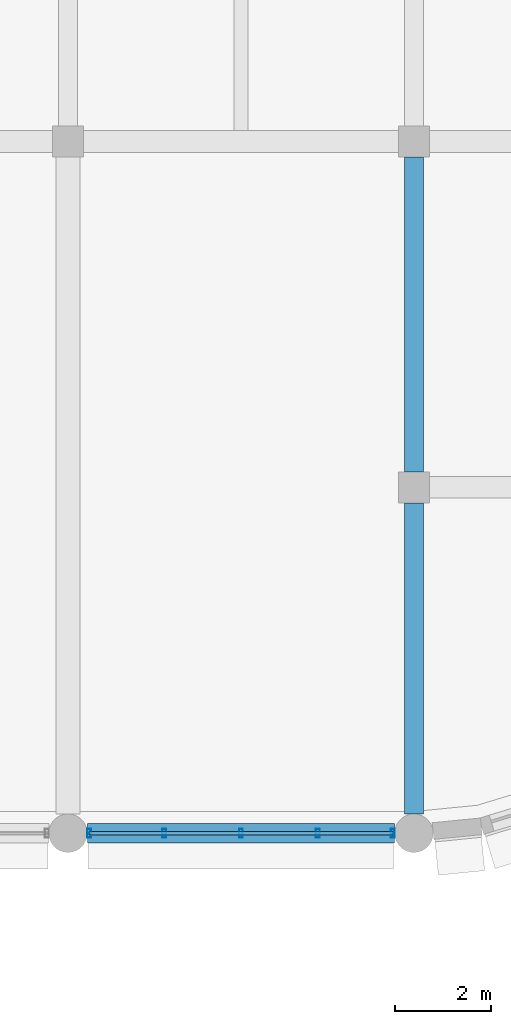
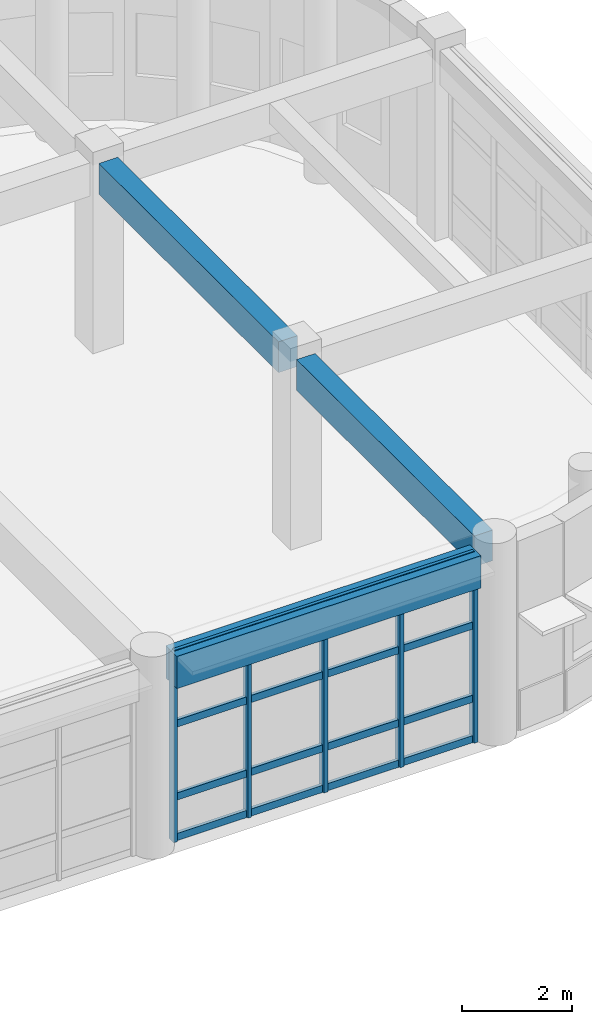
# One storey, part 39 of 171: 9 members, 3 beams, 1 element without a shape of its own.
"""IFC4 building model written with IfcOpenShell, lengths in metres."""

from ifc_helpers import new_model, si_unit, direction, frame, origin, origin_2d, place, context, subcontext, project, spatial, rectangle, hollow_rectangle, extrude, material, material_profile, profile_set, type_object, element, aggregate, save


model = new_model("IFC4")

# Units and contexts
model_context = context("Model", 3, precision=1e-05, world=origin(), true_north=direction((0.0, 1.0)))
body_context = subcontext(model_context, "Body", "Model", "MODEL_VIEW")
ifc_project = project(units=[si_unit("LENGTHUNIT", "METRE"), si_unit("AREAUNIT", "SQUARE_METRE"), si_unit("VOLUMEUNIT", "CUBIC_METRE"), si_unit("PLANEANGLEUNIT", "RADIAN"), si_unit("MASSUNIT", "GRAM", prefix="KILO")], contexts=[model_context])

# Site, building, storey
site_placement = place(None, origin())
site = spatial("IfcSite", under=ifc_project, at=site_placement, CompositionType="ELEMENT")
building_placement = place(site_placement, origin())
building = spatial("IfcBuilding", under=site, at=building_placement, Name="Thalmaran Polytechnic", CompositionType="ELEMENT")
storey_placement = place(building_placement, frame((0.0, 0.0, 5.39990234375)))
storey = spatial("IfcBuildingStorey", under=building, at=storey_placement, Name="L01", CompositionType="ELEMENT", Elevation=5.39990234375)

# Beams
ifc_material_1 = material(Name="Concrete C40/50", Category="concrete")
ifc_material_profile_1 = material_profile(ifc_material_1, rectangle(XDim=0.389892578125, YDim=0.68505859375, at=origin_2d()), Name="RC 390x685")
ifc_profile_set_1 = profile_set([ifc_material_profile_1], Name="Concrete C40/50")
beam_type_1 = type_object("IfcBeamType", Name="BM-RC08", PredefinedType="BEAM", material=ifc_profile_set_1)
beam_1_placement = place(storey_placement, frame((86.39990234375, 50.800048828125, 3.87255859375), z_axis=(0.0, 1.0, 0.0), x_axis=(-1.0, 0.0, 0.0)))
element("IfcBeam", 1, at=beam_1_placement, inside=storey, type_object=beam_type_1, Name="Grid Beam B08 L01 Y(12,7)", PredefinedType="BEAM", context=body_context, shape_type="SweptSolid", body=[
    extrude(rectangle(XDim=0.389892578125, YDim=0.68505859375, at=origin_2d()), origin(), (0.0, 0.0, 1.0), 6.474853515625),
])
ifc_material_profile_2 = material_profile(ifc_material_1, rectangle(XDim=0.39990234375, YDim=0.719970703125, at=origin_2d()), Name="RC 400x720")
ifc_profile_set_2 = profile_set([ifc_material_profile_2], Name="Concrete C40/50")
beam_type_2 = type_object("IfcBeamType", Name="BM-SP01", PredefinedType="SPANDREL", material=ifc_profile_set_2)
beam_2_placement = place(storey_placement, frame((79.60009765625, 50.39990234375, 3.85498046875), z_axis=(1.0, 0.0, 0.0), x_axis=(0.0, 1.0, 0.0)))
element("IfcBeam", 2, at=beam_2_placement, inside=storey, type_object=beam_type_2, Name="Grid Beam SP01 L01 X(11,7)", PredefinedType="SPANDREL", context=body_context, shape_type="SweptSolid", body=[
    extrude(rectangle(XDim=0.39990234375, YDim=0.719970703125, at=origin_2d()), origin(), (0.0, 0.0, 1.0), 6.39990234375),
])
ifc_material_profile_3 = material_profile(ifc_material_1, rectangle(XDim=0.39990234375, YDim=0.68505859375, at=origin_2d()), Name="RC 400x685")
ifc_profile_set_3 = profile_set([ifc_material_profile_3], Name="Concrete C40/50")
beam_type_3 = type_object("IfcBeamType", Name="BM-ZB07", PredefinedType="BEAM", material=ifc_profile_set_3)
beam_3_placement = place(storey_placement, frame((86.39990234375, 57.925048828125, 3.87255859375), z_axis=(0.0, 1.0, 0.0), x_axis=(-1.0, 0.0, 0.0)))
element("IfcBeam", 3, at=beam_3_placement, inside=storey, type_object=beam_type_3, Name="Grid Beam ZB07 L01 Y(12,8)", PredefinedType="BEAM", context=body_context, shape_type="SweptSolid", body=[
    extrude(rectangle(XDim=0.39990234375, YDim=0.68505859375, at=origin_2d()), origin(), (0.0, 0.0, 1.0), 6.550048828125),
])

# Curtain wall, members
ifc_material_2 = material(Name="Aluminium 6063-T6", Category="aluminium")
curtain_wall_type = type_object("IfcCurtainWallType", Name="CW-SC01", PredefinedType="USERDEFINED", material=ifc_material_2)
curtain_wall_placement = place(storey_placement, origin())
curtain_wall = element("IfcCurtainWall", 4, at=curtain_wall_placement, inside=storey, type_object=curtain_wall_type, Name="Curtain Wall CW-L01-149", ObjectType="STICK CURTAIN WALL", PredefinedType="USERDEFINED")
ifc_material_profile_4 = material_profile(ifc_material_2, hollow_rectangle(XDim=0.080078125, YDim=0.179931640625, WallThickness=0.0048828125, at=origin_2d()), Name="RHS 180x80x5.0")
ifc_profile_set_4 = profile_set([ifc_material_profile_4], Name="Aluminium 6063-T6")
member_type_1 = type_object("IfcMemberType", Name="CW-MUL1", PredefinedType="MULLION", material=ifc_profile_set_4)
member_1_placement = place(storey_placement, frame((85.9599609375, 50.39990234375, 0.0), z_axis=(0.0, 0.0, 1.0), x_axis=(1.0, 0.0, 0.0)))
member_1 = element("IfcMember", 5, at=member_1_placement, type_object=member_type_1, Name="CW-L01-149 Mullion 1", PredefinedType="MULLION", context=body_context, shape_type="SweptSolid", body=[
    extrude(hollow_rectangle(XDim=0.080078125, YDim=0.179931640625, WallThickness=0.0048828125, at=origin_2d()), origin(), (0.0, 0.0, 1.0), 4.210205078125),
])
member_2_placement = place(storey_placement, frame((84.39990234375, 50.39990234375, 0.0), z_axis=(0.0, 0.0, 1.0), x_axis=(1.0, 0.0, 0.0)))
member_2 = element("IfcMember", 6, at=member_2_placement, type_object=member_type_1, Name="CW-L01-149 Mullion 2", PredefinedType="MULLION", context=body_context, shape_type="SweptSolid", body=[
    extrude(hollow_rectangle(XDim=0.080078125, YDim=0.179931640625, WallThickness=0.0048828125, at=origin_2d()), origin(), (0.0, 0.0, 1.0), 4.210205078125),
])
member_3_placement = place(storey_placement, frame((82.800048828125, 50.39990234375, 0.0), z_axis=(0.0, 0.0, 1.0), x_axis=(1.0, 0.0, 0.0)))
member_3 = element("IfcMember", 7, at=member_3_placement, type_object=member_type_1, Name="CW-L01-149 Mullion 3", PredefinedType="MULLION", context=body_context, shape_type="SweptSolid", body=[
    extrude(hollow_rectangle(XDim=0.080078125, YDim=0.179931640625, WallThickness=0.0048828125, at=origin_2d()), origin(), (0.0, 0.0, 1.0), 4.210205078125),
])
member_4_placement = place(storey_placement, frame((81.199951171875, 50.39990234375, 0.0), z_axis=(0.0, 0.0, 1.0), x_axis=(1.0, 0.0, 0.0)))
member_4 = element("IfcMember", 8, at=member_4_placement, type_object=member_type_1, Name="CW-L01-149 Mullion 4", PredefinedType="MULLION", context=body_context, shape_type="SweptSolid", body=[
    extrude(hollow_rectangle(XDim=0.080078125, YDim=0.179931640625, WallThickness=0.0048828125, at=origin_2d()), origin(), (0.0, 0.0, 1.0), 4.210205078125),
])
member_5_placement = place(storey_placement, frame((79.639892578125, 50.39990234375, 0.0), z_axis=(0.0, 0.0, 1.0), x_axis=(1.0, 0.0, 0.0)))
member_5 = element("IfcMember", 9, at=member_5_placement, type_object=member_type_1, Name="CW-L01-149 Mullion 5", PredefinedType="MULLION", context=body_context, shape_type="SweptSolid", body=[
    extrude(hollow_rectangle(XDim=0.080078125, YDim=0.179931640625, WallThickness=0.0048828125, at=origin_2d()), origin(), (0.0, 0.0, 1.0), 4.210205078125),
])
ifc_material_profile_5 = material_profile(ifc_material_2, hollow_rectangle(XDim=0.070068359375, YDim=0.159912109375, WallThickness=0.00390625, at=origin_2d()), Name="AL 160x70x4.0")
ifc_profile_set_5 = profile_set([ifc_material_profile_5], Name="Aluminium 6063-T6")
member_type_2 = type_object("IfcMemberType", Name="CW-TRN1", PredefinedType="USERDEFINED", material=ifc_profile_set_5)
member_6_placement = place(storey_placement, frame((85.9599609375, 50.39990234375, 0.06005859375), z_axis=(-1.0, 0.0, 0.0), x_axis=(0.0, -1.0, 0.0)))
member_6 = element("IfcMember", 10, at=member_6_placement, type_object=member_type_2, Name="CW-L01-149 Transom 1", ObjectType="TRANSOM", PredefinedType="USERDEFINED", context=body_context, shape_type="SweptSolid", body=[
    extrude(hollow_rectangle(XDim=0.070068359375, YDim=0.159912109375, WallThickness=0.00390625, at=origin_2d()), origin(), (0.0, 0.0, 1.0), 6.320068359375),
])
member_7_placement = place(storey_placement, frame((85.9599609375, 50.39990234375, 0.960205078125), z_axis=(-1.0, 0.0, 0.0), x_axis=(0.0, -1.0, 0.0)))
member_7 = element("IfcMember", 11, at=member_7_placement, type_object=member_type_2, Name="CW-L01-149 Transom 2", ObjectType="TRANSOM", PredefinedType="USERDEFINED", context=body_context, shape_type="SweptSolid", body=[
    extrude(hollow_rectangle(XDim=0.070068359375, YDim=0.159912109375, WallThickness=0.00390625, at=origin_2d()), origin(), (0.0, 0.0, 1.0), 6.320068359375),
])
member_8_placement = place(storey_placement, frame((85.9599609375, 50.39990234375, 2.585205078125), z_axis=(-1.0, 0.0, 0.0), x_axis=(0.0, -1.0, 0.0)))
member_8 = element("IfcMember", 12, at=member_8_placement, type_object=member_type_2, Name="CW-L01-149 Transom 3", ObjectType="TRANSOM", PredefinedType="USERDEFINED", context=body_context, shape_type="SweptSolid", body=[
    extrude(hollow_rectangle(XDim=0.070068359375, YDim=0.159912109375, WallThickness=0.00390625, at=origin_2d()), origin(), (0.0, 0.0, 1.0), 6.320068359375),
])
member_9_placement = place(storey_placement, frame((85.9599609375, 50.39990234375, 4.150146484375), z_axis=(-1.0, 0.0, 0.0), x_axis=(0.0, -1.0, 0.0)))
member_9 = element("IfcMember", 13, at=member_9_placement, type_object=member_type_2, Name="CW-L01-149 Transom 4", ObjectType="TRANSOM", PredefinedType="USERDEFINED", context=body_context, shape_type="SweptSolid", body=[
    extrude(hollow_rectangle(XDim=0.070068359375, YDim=0.159912109375, WallThickness=0.00390625, at=origin_2d()), origin(), (0.0, 0.0, 1.0), 6.320068359375),
])
aggregate(curtain_wall, [member_1, member_2, member_3, member_4, member_5, member_6, member_7, member_8, member_9])

save(model, "model.ifc")
